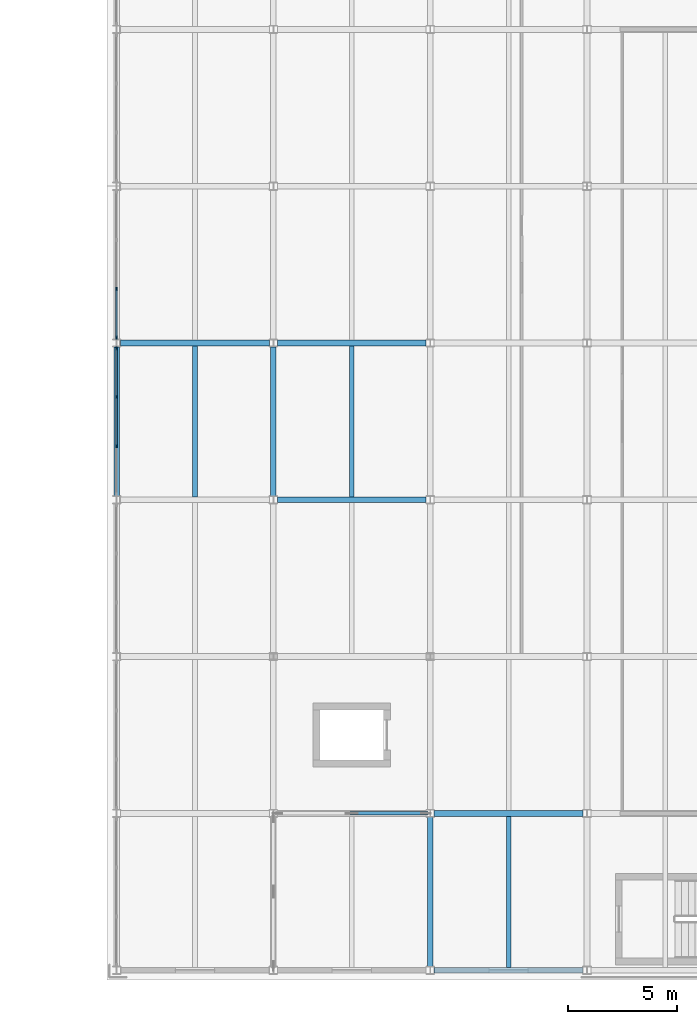
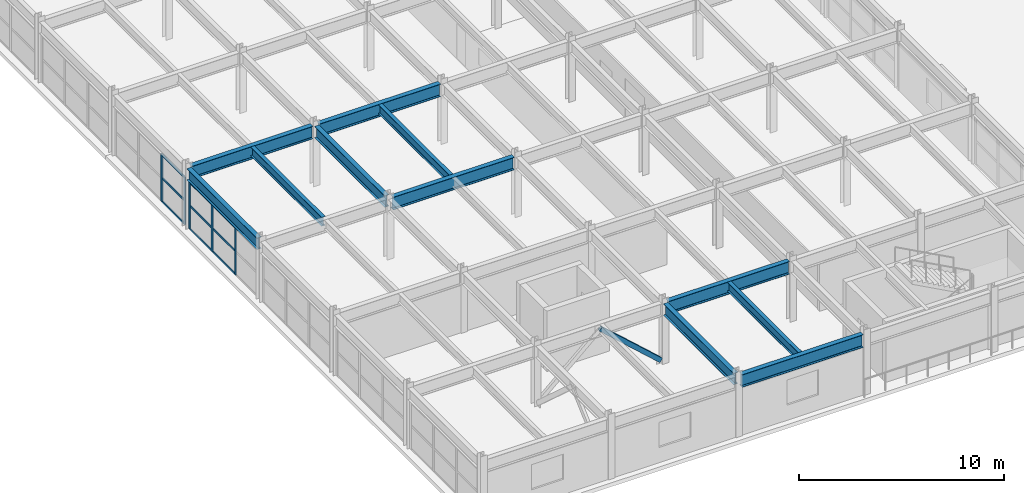
# One storey, part 24 of 80: 15 members, 11 beams, 2 elements without a shape of their own.
"""IFC4 building model written with IfcOpenShell, lengths in metres."""

from ifc_helpers import new_model, si_unit, direction, frame, origin, origin_2d, place, context, subcontext, project, spatial, rectangle, hollow_rectangle, i_section, extrude, material, material_profile, profile_set, type_object, element, aggregate, save


model = new_model("IFC4")

# Units and contexts
model_context = context("Model", 3, precision=1e-05, world=origin(), true_north=direction((0.0, 1.0)))
body_context = subcontext(model_context, "Body", "Model", "MODEL_VIEW")
ifc_project = project(units=[si_unit("LENGTHUNIT", "METRE"), si_unit("AREAUNIT", "SQUARE_METRE"), si_unit("VOLUMEUNIT", "CUBIC_METRE"), si_unit("PLANEANGLEUNIT", "RADIAN"), si_unit("MASSUNIT", "GRAM", prefix="KILO")], contexts=[model_context])

# Site, building, storey
site_placement = place(None, origin())
site = spatial("IfcSite", under=ifc_project, at=site_placement, CompositionType="ELEMENT")
building_placement = place(site_placement, origin())
building = spatial("IfcBuilding", under=site, at=building_placement, Name="Vaelcorin Mobility Hub", CompositionType="ELEMENT")
storey_placement = place(building_placement, frame((0.0, 0.0, 9.300048828125)))
storey = spatial("IfcBuildingStorey", under=building, at=storey_placement, Name="L02", CompositionType="ELEMENT", Elevation=9.300048828125)

# Beams
ifc_material_1 = material(Name="Steel ASTM A992 Grade 50", Category="steel")
ifc_material_profile_1 = material_profile(ifc_material_1, i_section(OverallWidth=0.2099609375, OverallDepth=0.532958984375, WebThickness=0.01025390625, FlangeThickness=0.015625, FilletRadius=0.013916015625, at=origin_2d()), Name="W21X62")
ifc_profile_set_1 = profile_set([ifc_material_profile_1], Name="Steel ASTM A992 Grade 50")
beam_type_1 = type_object("IfcBeamType", Name="BM-W21X62", PredefinedType="JOIST", material=ifc_profile_set_1)
for number, where, z_axis, x_axis, name in (
    (1, (157.199951171875, 27.73193359375, 3.333984375), (0.0, 1.0, 0.0), (-1.0, 0.0, 0.0), "L02 Beam V5-L02-J-01-04-1"),
    (2, (164.39990234375, 27.73193359375, 3.333984375), (0.0, 1.0, 0.0), (-1.0, 0.0, 0.0), "L02 Beam V5-L02-J-02-04-1"),
    (3, (171.60009765625, 6.132080078125, 3.333984375), (0.0, 1.0, 0.0), (-1.0, 0.0, 0.0), "L02 Beam V5-L02-J-03-01-1"),
):
    element("IfcBeam", number, at=place(storey_placement, frame(where, z_axis=z_axis, x_axis=x_axis)), inside=storey, type_object=beam_type_1, Name=name, PredefinedType="JOIST", context=body_context, shape_type="SweptSolid", body=[
        extrude(i_section(OverallWidth=0.2099609375, OverallDepth=0.532958984375, WebThickness=0.01025390625, FlangeThickness=0.015625, FilletRadius=0.013916015625, at=origin_2d()), origin(), (0.0, 0.0, 1.0), 6.93603515625),
    ])
ifc_material_profile_2 = material_profile(ifc_material_1, i_section(OverallWidth=0.25390625, OverallDepth=0.68310546875, WebThickness=0.012451171875, FlangeThickness=0.018798828125, FilletRadius=0.01611328125, at=origin_2d()), Name="W27X94")
ifc_profile_set_2 = profile_set([ifc_material_profile_2], Name="Steel ASTM A992 Grade 50")
beam_type_2 = type_object("IfcBeamType", Name="BM-W27X94", PredefinedType="BEAM", material=ifc_profile_set_2)
for number, where, z_axis, x_axis, name in (
    (4, (153.60009765625, 27.77587890625, 3.258056640625), (0.0, 1.0, 0.0), (-1.0, 0.0, 0.0), "L02 Beam V5-L02-GY-01-04"),
    (5, (160.800048828125, 27.77587890625, 3.258056640625), (0.0, 1.0, 0.0), (-1.0, 0.0, 0.0), "L02 Beam V5-L02-GY-02-04"),
):
    element("IfcBeam", number, at=place(storey_placement, frame(where, z_axis=z_axis, x_axis=x_axis)), inside=storey, type_object=beam_type_2, Name=name, PredefinedType="BEAM", context=body_context, shape_type="SweptSolid", body=[
        extrude(i_section(OverallWidth=0.25390625, OverallDepth=0.68310546875, WebThickness=0.012451171875, FlangeThickness=0.018798828125, FilletRadius=0.01611328125, at=origin_2d()), origin(), (0.0, 0.0, 1.0), 6.84814453125),
    ])
beam_1_placement = place(storey_placement, frame((168.0, 6.176025390625, 3.258056640625), z_axis=(0.0, 1.0, 0.0), x_axis=(-1.0, 0.0, 0.0)))
element("IfcBeam", 6, at=beam_1_placement, inside=storey, type_object=beam_type_2, Name="L02 Beam V5-L02-GY-03-01", PredefinedType="BEAM", context=body_context, shape_type="SweptSolid", body=[
    extrude(i_section(OverallWidth=0.25390625, OverallDepth=0.68310546875, WebThickness=0.012451171875, FlangeThickness=0.018798828125, FilletRadius=0.01611328125, at=origin_2d()), origin(), (0.0, 0.0, 1.0), 6.847900390625),
])
ifc_material_profile_3 = material_profile(ifc_material_1, i_section(OverallWidth=0.26708984375, OverallDepth=0.757080078125, WebThickness=0.013916015625, FlangeThickness=0.019287109375, FilletRadius=0.01708984375, at=origin_2d()), Name="W30X108")
ifc_profile_set_3 = profile_set([ifc_material_profile_3], Name="Steel ASTM A992 Grade 50")
beam_type_3 = type_object("IfcBeamType", Name="BM-W30X108", PredefinedType="BEAM", material=ifc_profile_set_3)
for number, where, z_axis, x_axis, name in (
    (7, (168.181884765625, 6.0, 3.221923828125), (1.0, 0.0, 0.0), (0.0, 1.0, 0.0), "L02 Beam V5-L02-GX-01-03"),
    (8, (168.181884765625, 13.199951171875, 3.221923828125), (1.0, 0.0, 0.0), (0.0, 1.0, 0.0), "L02 Beam V5-L02-GX-02-03"),
    (9, (160.98193359375, 27.60009765625, 3.221923828125), (1.0, 0.0, 0.0), (0.0, 1.0, 0.0), "L02 Beam V5-L02-GX-04-02"),
):
    element("IfcBeam", number, at=place(storey_placement, frame(where, z_axis=z_axis, x_axis=x_axis)), inside=storey, type_object=beam_type_3, Name=name, PredefinedType="BEAM", context=body_context, shape_type="SweptSolid", body=[
        extrude(i_section(OverallWidth=0.26708984375, OverallDepth=0.757080078125, WebThickness=0.013916015625, FlangeThickness=0.019287109375, FilletRadius=0.01708984375, at=origin_2d()), origin(), (0.0, 0.0, 1.0), 6.836181640625),
    ])
beam_2_placement = place(storey_placement, frame((153.781982421875, 34.800048828125, 3.221923828125), z_axis=(1.0, 0.0, 0.0), x_axis=(0.0, 1.0, 0.0)))
element("IfcBeam", 10, at=beam_2_placement, inside=storey, type_object=beam_type_3, Name="L02 Beam V5-L02-GX-05-01", PredefinedType="BEAM", context=body_context, shape_type="SweptSolid", body=[
    extrude(i_section(OverallWidth=0.26708984375, OverallDepth=0.757080078125, WebThickness=0.013916015625, FlangeThickness=0.019287109375, FilletRadius=0.01708984375, at=origin_2d()), origin(), (0.0, 0.0, 1.0), 6.8359375),
])
beam_3_placement = place(storey_placement, frame((160.98193359375, 34.800048828125, 3.221923828125), z_axis=(1.0, 0.0, 0.0), x_axis=(0.0, 1.0, 0.0)))
element("IfcBeam", 11, at=beam_3_placement, inside=storey, type_object=beam_type_3, Name="L02 Beam V5-L02-GX-05-02", PredefinedType="BEAM", context=body_context, shape_type="SweptSolid", body=[
    extrude(i_section(OverallWidth=0.26708984375, OverallDepth=0.757080078125, WebThickness=0.013916015625, FlangeThickness=0.019287109375, FilletRadius=0.01708984375, at=origin_2d()), origin(), (0.0, 0.0, 1.0), 6.836181640625),
])

# Member
ifc_material_2 = material(Name="Steel ASTM A500 Grade C", Category="steel")
ifc_material_profile_4 = material_profile(ifc_material_2, hollow_rectangle(XDim=0.15234375, YDim=0.25390625, WallThickness=0.01171875, at=origin_2d()), Name="HSS10X6X0.500")
ifc_profile_set_4 = profile_set([ifc_material_profile_4], Name="Steel ASTM A500 Grade C")
member_type_1 = type_object("IfcMemberType", Name="BR-SCBF-10X6", PredefinedType="BRACE", material=ifc_profile_set_4)
member_1_placement = place(storey_placement, frame((167.81005859375, 13.199951171875, 0.179931640625), z_axis=(-0.74319360332, 0.0, 0.669076429106), x_axis=(0.0, -1.0, 0.0)))
element("IfcMember", 12, at=member_1_placement, inside=storey, type_object=member_type_1, Name="SCBF Chevron Brace V5-BX1-L02-B", PredefinedType="BRACE", context=body_context, shape_type="SweptSolid", body=[
    extrude(hollow_rectangle(XDim=0.15234375, YDim=0.25390625, WallThickness=0.01171875, at=origin_2d()), origin(), (0.0, 0.0, 1.0), 4.588623046875),
])

# Curtain wall, members
ifc_material_3 = material(Name="Anodised aluminium 6063-T6", Category="aluminium")
curtain_wall_type = type_object("IfcCurtainWallType", Name="CW-MOB-A", PredefinedType="NOTDEFINED", material=ifc_material_3)
curtain_wall_1_placement = place(storey_placement, origin())
curtain_wall_1 = element("IfcCurtainWall", 13, at=curtain_wall_1_placement, inside=storey, type_object=curtain_wall_type, Name="L02 Curtain Wall CW-V5-L02-WS-04", PredefinedType="NOTDEFINED")
ifc_material_profile_5 = material_profile(ifc_material_3, rectangle(XDim=0.06005859375, YDim=0.159912109375, at=origin_2d()), Name="ALU-M60X160")
ifc_profile_set_5 = profile_set([ifc_material_profile_5], Name="Anodised aluminium 6063-T6")
member_type_2 = type_object("IfcMemberType", Name="CW-MULL-160", PredefinedType="MULLION", material=ifc_profile_set_5)
member_2_placement = place(storey_placement, frame((153.60009765625, 30.0732421875, 0.0), z_axis=(0.0, 0.0, 1.0), x_axis=(-1.0, 0.0, 0.0)))
member_2 = element("IfcMember", 14, at=member_2_placement, type_object=member_type_2, Name="CW7 mullion 2", PredefinedType="MULLION", context=body_context, shape_type="SweptSolid", body=[
    extrude(rectangle(XDim=0.06005859375, YDim=0.159912109375, at=origin_2d()), origin(), (0.0, 0.0, 1.0), 2.827880859375),
])
member_3_placement = place(storey_placement, frame((153.60009765625, 32.32666015625, 0.0), z_axis=(0.0, 0.0, 1.0), x_axis=(-1.0, 0.0, 0.0)))
member_3 = element("IfcMember", 15, at=member_3_placement, type_object=member_type_2, Name="CW7 mullion 3", PredefinedType="MULLION", context=body_context, shape_type="SweptSolid", body=[
    extrude(rectangle(XDim=0.06005859375, YDim=0.159912109375, at=origin_2d()), origin(), (0.0, 0.0, 1.0), 2.827880859375),
])
member_4_placement = place(storey_placement, frame((153.60009765625, 34.550048828125, 0.0), z_axis=(0.0, 0.0, 1.0), x_axis=(-1.0, 0.0, 0.0)))
member_4 = element("IfcMember", 16, at=member_4_placement, type_object=member_type_2, Name="CW7 mullion 4", PredefinedType="MULLION", context=body_context, shape_type="SweptSolid", body=[
    extrude(rectangle(XDim=0.06005859375, YDim=0.159912109375, at=origin_2d()), origin(), (0.0, 0.0, 1.0), 2.827880859375),
])

curtain_wall_2_placement = place(storey_placement, origin())
curtain_wall_2 = element("IfcCurtainWall", 17, at=curtain_wall_2_placement, inside=storey, type_object=curtain_wall_type, Name="L02 Curtain Wall CW-V5-L02-WS-05", PredefinedType="NOTDEFINED")
member_5_placement = place(storey_placement, frame((153.60009765625, 35.050048828125, 0.0), z_axis=(0.0, 0.0, 1.0), x_axis=(-1.0, 0.0, 0.0)))
member_5 = element("IfcMember", 18, at=member_5_placement, type_object=member_type_2, Name="CW7 mullion 1", PredefinedType="MULLION", context=body_context, shape_type="SweptSolid", body=[
    extrude(rectangle(XDim=0.06005859375, YDim=0.159912109375, at=origin_2d()), origin(), (0.0, 0.0, 1.0), 2.827880859375),
])
member_6_placement = place(storey_placement, frame((153.60009765625, 37.2734375, 0.0), z_axis=(0.0, 0.0, 1.0), x_axis=(-1.0, 0.0, 0.0)))
member_6 = element("IfcMember", 19, at=member_6_placement, type_object=member_type_2, Name="CW7 mullion 2", PredefinedType="MULLION", context=body_context, shape_type="SweptSolid", body=[
    extrude(rectangle(XDim=0.06005859375, YDim=0.159912109375, at=origin_2d()), origin(), (0.0, 0.0, 1.0), 2.827880859375),
])

# Member
ifc_material_profile_6 = material_profile(ifc_material_3, rectangle(XDim=0.06005859375, YDim=0.1201171875, at=origin_2d()), Name="ALU-T60X120")
ifc_profile_set_6 = profile_set([ifc_material_profile_6], Name="Anodised aluminium 6063-T6")
member_type_3 = type_object("IfcMemberType", Name="CW-TRAN-140", PredefinedType="USERDEFINED", material=ifc_profile_set_6)
member_7_placement = place(storey_placement, frame((153.60009765625, 30.103271484375, 0.030029296875), z_axis=(0.0, 1.0, 0.0), x_axis=(-1.0, 0.0, 0.0)))
member_7 = element("IfcMember", 20, at=member_7_placement, type_object=member_type_3, Name="CW7 transom 2.1", ObjectType="TRANSOM", PredefinedType="USERDEFINED", context=body_context, shape_type="SweptSolid", body=[
    extrude(rectangle(XDim=0.06005859375, YDim=0.1201171875, at=origin_2d()), origin(), (0.0, 0.0, 1.0), 2.193359375),
])

member_8_placement = place(storey_placement, frame((153.60009765625, 30.103271484375, 1.4140625), z_axis=(0.0, 1.0, 0.0), x_axis=(-1.0, 0.0, 0.0)))
member_8 = element("IfcMember", 21, at=member_8_placement, type_object=member_type_3, Name="CW7 transom 2.2", ObjectType="TRANSOM", PredefinedType="USERDEFINED", context=body_context, shape_type="SweptSolid", body=[
    extrude(rectangle(XDim=0.06005859375, YDim=0.1201171875, at=origin_2d()), origin(), (0.0, 0.0, 1.0), 2.193359375),
])

member_9_placement = place(storey_placement, frame((153.60009765625, 30.103271484375, 2.7978515625), z_axis=(0.0, 1.0, 0.0), x_axis=(-1.0, 0.0, 0.0)))
member_9 = element("IfcMember", 22, at=member_9_placement, type_object=member_type_3, Name="CW7 transom 2.3", ObjectType="TRANSOM", PredefinedType="USERDEFINED", context=body_context, shape_type="SweptSolid", body=[
    extrude(rectangle(XDim=0.06005859375, YDim=0.1201171875, at=origin_2d()), origin(), (0.0, 0.0, 1.0), 2.193359375),
])

member_10_placement = place(storey_placement, frame((153.60009765625, 32.356689453125, 0.030029296875), z_axis=(0.0, 1.0, 0.0), x_axis=(-1.0, 0.0, 0.0)))
member_10 = element("IfcMember", 23, at=member_10_placement, type_object=member_type_3, Name="CW7 transom 3.1", ObjectType="TRANSOM", PredefinedType="USERDEFINED", context=body_context, shape_type="SweptSolid", body=[
    extrude(rectangle(XDim=0.06005859375, YDim=0.1201171875, at=origin_2d()), origin(), (0.0, 0.0, 1.0), 2.163330078125),
])

member_11_placement = place(storey_placement, frame((153.60009765625, 32.356689453125, 1.4140625), z_axis=(0.0, 1.0, 0.0), x_axis=(-1.0, 0.0, 0.0)))
member_11 = element("IfcMember", 24, at=member_11_placement, type_object=member_type_3, Name="CW7 transom 3.2", ObjectType="TRANSOM", PredefinedType="USERDEFINED", context=body_context, shape_type="SweptSolid", body=[
    extrude(rectangle(XDim=0.06005859375, YDim=0.1201171875, at=origin_2d()), origin(), (0.0, 0.0, 1.0), 2.163330078125),
])

member_12_placement = place(storey_placement, frame((153.60009765625, 32.356689453125, 2.7978515625), z_axis=(0.0, 1.0, 0.0), x_axis=(-1.0, 0.0, 0.0)))
member_12 = element("IfcMember", 25, at=member_12_placement, type_object=member_type_3, Name="CW7 transom 3.3", ObjectType="TRANSOM", PredefinedType="USERDEFINED", context=body_context, shape_type="SweptSolid", body=[
    extrude(rectangle(XDim=0.06005859375, YDim=0.1201171875, at=origin_2d()), origin(), (0.0, 0.0, 1.0), 2.163330078125),
])

aggregate(curtain_wall_1, [member_2, member_3, member_4, member_7, member_8, member_9, member_10, member_11, member_12])

member_13_placement = place(storey_placement, frame((153.60009765625, 35.080078125, 0.030029296875), z_axis=(0.0, 1.0, 0.0), x_axis=(-1.0, 0.0, 0.0)))
member_13 = element("IfcMember", 26, at=member_13_placement, type_object=member_type_3, Name="CW7 transom 1.1", ObjectType="TRANSOM", PredefinedType="USERDEFINED", context=body_context, shape_type="SweptSolid", body=[
    extrude(rectangle(XDim=0.06005859375, YDim=0.1201171875, at=origin_2d()), origin(), (0.0, 0.0, 1.0), 2.163330078125),
])

member_14_placement = place(storey_placement, frame((153.60009765625, 35.080078125, 1.4140625), z_axis=(0.0, 1.0, 0.0), x_axis=(-1.0, 0.0, 0.0)))
member_14 = element("IfcMember", 27, at=member_14_placement, type_object=member_type_3, Name="CW7 transom 1.2", ObjectType="TRANSOM", PredefinedType="USERDEFINED", context=body_context, shape_type="SweptSolid", body=[
    extrude(rectangle(XDim=0.06005859375, YDim=0.1201171875, at=origin_2d()), origin(), (0.0, 0.0, 1.0), 2.163330078125),
])

member_15_placement = place(storey_placement, frame((153.60009765625, 35.080078125, 2.7978515625), z_axis=(0.0, 1.0, 0.0), x_axis=(-1.0, 0.0, 0.0)))
member_15 = element("IfcMember", 28, at=member_15_placement, type_object=member_type_3, Name="CW7 transom 1.3", ObjectType="TRANSOM", PredefinedType="USERDEFINED", context=body_context, shape_type="SweptSolid", body=[
    extrude(rectangle(XDim=0.06005859375, YDim=0.1201171875, at=origin_2d()), origin(), (0.0, 0.0, 1.0), 2.163330078125),
])

aggregate(curtain_wall_2, [member_5, member_6, member_13, member_14, member_15])

save(model, "model.ifc")
